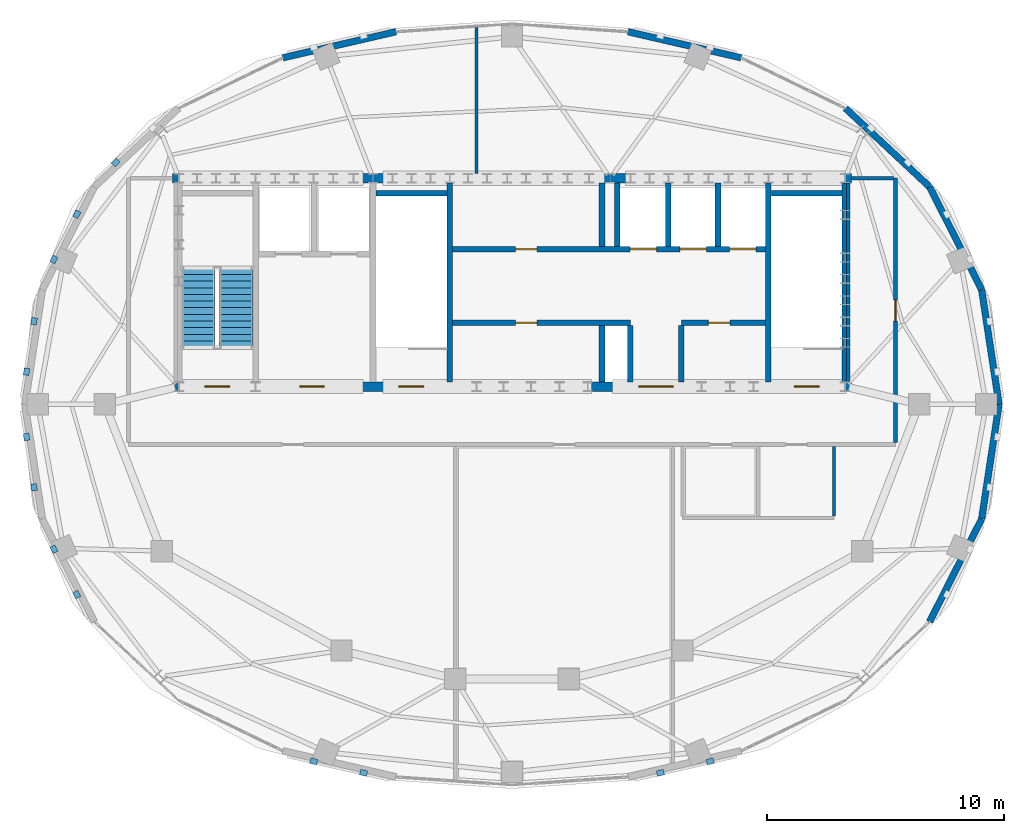
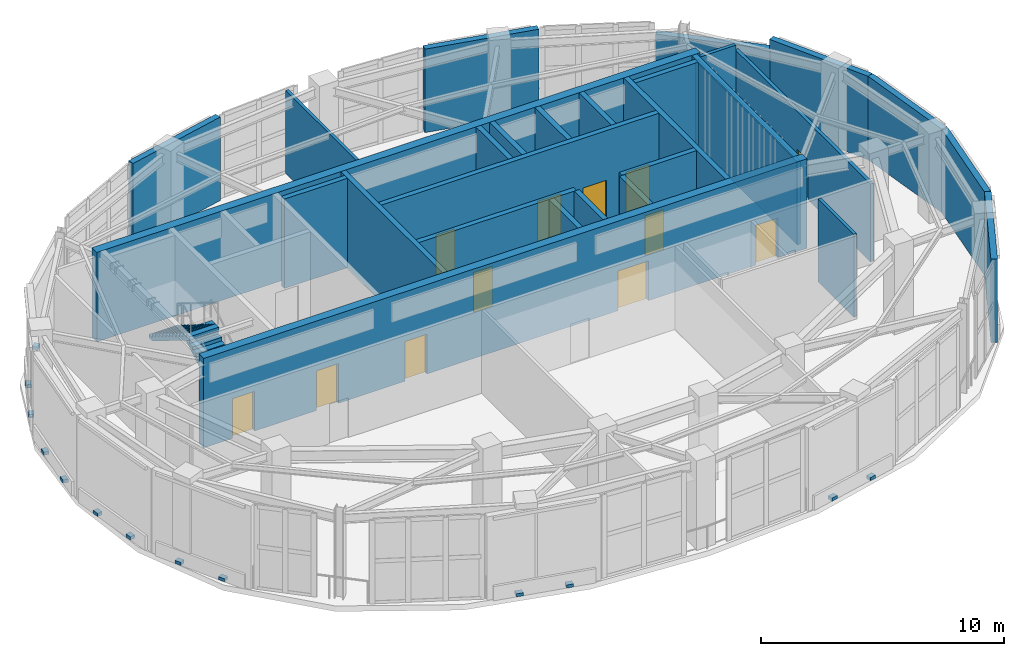
# One storey, part 7 of 10: 29 walls, 13 discrete accessories, 12 doors, 2 stair flights, 12 openings, 1 element without a shape of its own.
"""IFC4 building model written with IfcOpenShell, lengths in metres."""

from ifc_helpers import new_model, si_unit, direction, frame, frame_2d, origin, origin_2d, place, context, subcontext, project, spatial, polyline, rectangle, outline, extrude, material, layer, layer_set, type_object, element, fill, aggregate, save


model = new_model("IFC4")

# Units and contexts
model_context = context("Model", 3, precision=1e-05, world=origin(), true_north=direction((0.0, 1.0)))
body_context = subcontext(model_context, "Body", "Model", "MODEL_VIEW")
ifc_project = project(units=[si_unit("LENGTHUNIT", "METRE"), si_unit("AREAUNIT", "SQUARE_METRE"), si_unit("VOLUMEUNIT", "CUBIC_METRE"), si_unit("PLANEANGLEUNIT", "RADIAN"), si_unit("MASSUNIT", "GRAM", prefix="KILO")], contexts=[model_context])

# Site, building, storey
site_placement = place(None, origin())
site = spatial("IfcSite", under=ifc_project, at=site_placement, CompositionType="ELEMENT")
building_placement = place(site_placement, origin())
building = spatial("IfcBuilding", under=site, at=building_placement, Name="Haldorwick Loom Tower", CompositionType="ELEMENT")
storey_placement = place(building_placement, frame((0.0, 0.0, 296.0)))
storey = spatial("IfcBuildingStorey", under=building, at=storey_placement, Name="L79", CompositionType="ELEMENT", Elevation=296.0)

# Walls
ifc_material_1 = material(Name="Pressed Clay Face Brick and Insulated Masonry Backup Assembly", Category="masonry")
ifc_layer_1 = layer(ifc_material_1, 0.280029296875, Name="Pressed Clay Face Brick and Insulated Masonry Backup Assembly", Category="masonry")
ifc_layer_set_1 = layer_set([ifc_layer_1], Name="Pressed Clay Face Brick and Insulated Masonry Backup Assembly")
wall_type_1 = type_object("IfcWallType", Name="ARC-WL-EXT280", PredefinedType="STANDARD", material=ifc_layer_set_1)
wall_1_placement = place(storey_placement, frame((56.573486328125, 26.0, 0.0), z_axis=(0.0, 0.0, 1.0), x_axis=(-0.149895455746, 0.9887018521, 0.0)))
element("IfcWall", 1, at=wall_1_placement, inside=storey, type_object=wall_type_1, Name="L79 Brick Pier and Spandrel Wall 1", PredefinedType="STANDARD", context=body_context, shape_type="SweptSolid", body=[
    extrude(rectangle(XDim=4.897705078125, YDim=0.280029296875, at=frame_2d((2.44873046875, 0.0))), origin(), (0.0, 0.0, 1.0), 4.199951171875),
])
wall_2_placement = place(storey_placement, frame((55.83935546875, 30.84228515625, 0.0), z_axis=(0.0, 0.0, 1.0), x_axis=(-0.451802465885, 0.892118003305, 0.0)))
element("IfcWall", 2, at=wall_2_placement, inside=storey, type_object=wall_type_1, Name="L79 Brick Pier and Spandrel Wall 2", PredefinedType="STANDARD", context=body_context, shape_type="SweptSolid", body=[
    extrude(rectangle(XDim=4.8671875, YDim=0.280029296875, at=frame_2d((2.43359375, 0.0))), origin(), (0.0, 0.0, 1.0), 4.199951171875),
])
wall_3_placement = place(storey_placement, frame((53.640380859375, 35.184326171875, 0.0), z_axis=(0.0, 0.0, 1.0), x_axis=(-0.730848380054, 0.682539848927, 0.0)))
element("IfcWall", 3, at=wall_3_placement, inside=storey, type_object=wall_type_1, Name="L79 Brick Pier and Spandrel Wall 3", PredefinedType="STANDARD", context=body_context, shape_type="SweptSolid", body=[
    extrude(rectangle(XDim=4.86669921875, YDim=0.280029296875, at=frame_2d((2.433349609375, 0.0))), origin(), (0.0, 0.0, 1.0), 3.708984375),
])
for number, where, z_axis, x_axis, name in (
    (4, (45.6806640625, 40.637939453125, 0.0), (0.0, 0.0, 1.0), (-0.97452518262, 0.224278105128, 0.0), "L79 Brick Pier and Spandrel Wall 5"),
    (5, (31.1015625, 41.738525390625, 0.0), (0.0, 0.0, 1.0), (-0.97452518262, -0.224278105128, 0.0), "L79 Brick Pier and Spandrel Wall 8"),
):
    element("IfcWall", number, at=place(storey_placement, frame(where, z_axis=z_axis, x_axis=x_axis)), inside=storey, type_object=wall_type_1, Name=name, PredefinedType="STANDARD", context=body_context, shape_type="SweptSolid", body=[
        extrude(rectangle(XDim=4.9072265625, YDim=0.280029296875, at=frame_2d((2.45361328125, 0.0))), origin(), (0.0, 0.0, 1.0), 4.199951171875),
    ])
wall_4_placement = place(storey_placement, frame((53.640380859375, 16.815673828125, 0.0), z_axis=(0.0, 0.0, 1.0), x_axis=(0.451802465885, 0.892118003305, 0.0)))
element("IfcWall", 6, at=wall_4_placement, inside=storey, type_object=wall_type_1, Name="L79 Brick Pier and Spandrel Wall 23", PredefinedType="STANDARD", context=body_context, shape_type="SweptSolid", body=[
    extrude(rectangle(XDim=4.8671875, YDim=0.280029296875, at=frame_2d((2.43359375, 0.0))), origin(), (0.0, 0.0, 1.0), 4.199951171875),
])
wall_5_placement = place(storey_placement, frame((55.83935546875, 21.15771484375, 0.0), z_axis=(0.0, 0.0, 1.0), x_axis=(0.149895455746, 0.9887018521, 0.0)))
element("IfcWall", 7, at=wall_5_placement, inside=storey, type_object=wall_type_1, Name="L79 Brick Pier and Spandrel Wall 24", PredefinedType="STANDARD", context=body_context, shape_type="SweptSolid", body=[
    extrude(rectangle(XDim=4.897705078125, YDim=0.280029296875, at=frame_2d((2.44873046875, 0.0))), origin(), (0.0, 0.0, 1.0), 4.199951171875),
])

# Wall, opening, door
ifc_material_2 = material(Name="Fire-Rated Type X Gypsum Stud Assembly EI 60")
ifc_layer_2 = layer(ifc_material_2, 0.159912109375, Name="Fire-Rated Type X Gypsum Stud Assembly EI 60")
ifc_layer_set_2 = layer_set([ifc_layer_2], Name="Fire-Rated Type X Gypsum Stud Assembly EI 60")
wall_type_2 = type_object("IfcWallType", Name="ARC-WL-FIRE160", PredefinedType="PARTITIONING", material=ifc_layer_set_2)
wall_6_placement = place(storey_placement, frame((52.199951171875, 24.383056640625, 0.0), z_axis=(0.0, 0.0, 1.0), x_axis=(0.0, 1.0, 0.0)))
wall_6 = element("IfcWall", 8, at=wall_6_placement, inside=storey, type_object=wall_type_2, Name="L79 Interior Partition L79-CE0", PredefinedType="PARTITIONING", context=body_context, shape_type="SweptSolid", body=[
    extrude(rectangle(XDim=11.1669921875, YDim=0.159912109375, at=frame_2d((5.58349609375, 0.0))), origin(), (0.0, 0.0, 1.0), 3.9169921875),
])
opening_1_placement = place(wall_6_placement, frame((5.133544921875, 0.0, 0.0)))
opening_1 = element("IfcOpeningElement", 9, at=opening_1_placement, cuts=wall_6, Name="Opening D-FD60A", PredefinedType="OPENING", context=body_context, shape_type="SweptSolid", body=[
    extrude(rectangle(XDim=0.89990234375, YDim=2.0, at=frame_2d((0.449951171875, 1.0))), frame((0.0, 0.08984375, 0.0), z_axis=(0.0, -1.0, 0.0), x_axis=(1.0, 0.0, 0.0)), (0.0, 0.0, 1.0), 0.179931640625),
])
ifc_material_3 = material(Name="Hollow Steel Fire Door Assembly", Category="steel")
door_type_1 = type_object("IfcDoorType", Name="ARC-DR-FD60-90", OperationType="NOTDEFINED", PredefinedType="DOOR", material=ifc_material_3)
door_1_placement = place(opening_1_placement, origin())
door_1 = element("IfcDoor", 10, at=door_1_placement, inside=storey, type_object=door_type_1, Name="L79 L79 Central Transfer Corridor to Sky Seminar Room 5 Door", OperationType="SINGLE_SWING_LEFT", OverallHeight=2.0, OverallWidth=0.89990234375, PredefinedType="DOOR", context=body_context, shape_type="SweptSolid", body=[
    extrude(rectangle(XDim=0.89990234375, YDim=2.0, at=frame_2d((0.449951171875, 1.0))), frame((0.0, 0.02490234375, 0.0), z_axis=(0.0, -1.0, 0.0), x_axis=(1.0, 0.0, 0.0)), (0.0, 0.0, 1.0), 0.050048828125),
])
fill(opening_1, door_1)

# Walls
wall_7_placement = place(storey_placement, frame((50.199951171875, 26.952880859375, 0.0), z_axis=(0.0, 0.0, 1.0), x_axis=(0.0, 1.0, 0.0)))
element("IfcWall", 11, at=wall_7_placement, inside=storey, type_object=wall_type_2, Name="L79 Interior Partition L79-CE2", PredefinedType="PARTITIONING", context=body_context, shape_type="SweptSolid", body=[
    extrude(rectangle(XDim=8.39404296875, YDim=0.159912109375, at=frame_2d((4.197021484375, 0.0))), origin(), (0.0, 0.0, 1.0), 4.18505859375),
])
wall_8_placement = place(storey_placement, frame((50.35009765625, 35.550048828125, 0.0), z_axis=(0.0, 0.0, 1.0), x_axis=(1.0, 0.0, 0.0)))
element("IfcWall", 12, at=wall_8_placement, inside=storey, type_object=wall_type_2, Name="L79 Interior Partition L79-CEN", PredefinedType="PARTITIONING", context=body_context, shape_type="SweptSolid", body=[
    extrude(rectangle(XDim=1.766845703125, YDim=0.159912109375, at=frame_2d((0.88330078125, 0.0))), origin(), (0.0, 0.0, 1.0), 4.18505859375),
])
ifc_layer_3 = layer(ifc_material_2, 0.139892578125, Name="Fire-Rated Type X Gypsum Stud Assembly EI 60")
ifc_layer_set_3 = layer_set([ifc_layer_3], Name="Fire-Rated Type X Gypsum Stud Assembly EI 60")
wall_type_3 = type_object("IfcWallType", Name="ARC-WL-PART140", PredefinedType="PARTITIONING", material=ifc_layer_set_3)
wall_9_placement = place(storey_placement, frame((49.60009765625, 21.27294921875, 0.0), z_axis=(0.0, 0.0, 1.0), x_axis=(0.0, 1.0, 0.0)))
element("IfcWall", 13, at=wall_9_placement, inside=storey, type_object=wall_type_3, Name="L79 Interior Partition L79-WC4", PredefinedType="PARTITIONING", context=body_context, shape_type="SweptSolid", body=[
    extrude(rectangle(XDim=2.944091796875, YDim=0.139892578125, at=frame_2d((1.47216796875, 0.0))), origin(), (0.0, 0.0, 1.0), 4.18505859375),
])
wall_10_placement = place(storey_placement, frame((34.5, 35.7529296875, 0.0), z_axis=(0.0, 0.0, 1.0), x_axis=(0.0, 1.0, 0.0)))
element("IfcWall", 14, at=wall_10_placement, inside=storey, type_object=wall_type_3, Name="L79 Interior Partition L79-N-0", PredefinedType="PARTITIONING", context=body_context, shape_type="SweptSolid", body=[
    extrude(rectangle(XDim=6.173828125, YDim=0.139892578125, at=frame_2d((3.0869140625, 0.0))), origin(), (0.0, 0.0, 1.0), 4.18505859375),
])

# Wall, openings, doors
ifc_material_4 = material(Name="Concrete C50 (50 MPa)", Category="concrete")
ifc_layer_4 = layer(ifc_material_4, 0.39990234375, Name="Concrete C50 (50 MPa)", Category="concrete")
ifc_layer_set_4 = layer_set([ifc_layer_4], Name="Concrete C50 (50 MPa)")
wall_type_4 = type_object("IfcWallType", Name="STR-WL-CORE400", PredefinedType="SHEAR", material=ifc_layer_set_4)
wall_11_placement = place(storey_placement, frame((21.64990234375, 26.75, 0.0), z_axis=(0.0, 0.0, 1.0), x_axis=(1.0, 0.0, 0.0)))
wall_11 = element("IfcWall", 15, at=wall_11_placement, inside=storey, type_object=wall_type_4, Name="L79 Core Shear Wall S", PredefinedType="SHEAR", context=body_context, shape_type="SweptSolid", body=[
    extrude(rectangle(XDim=28.7001953125, YDim=0.39990234375, at=frame_2d((14.35009765625, 0.0))), origin(), (0.0, 0.0, 1.0), 4.5),
])
opening_2_placement = place(wall_11_placement, frame((1.375, 0.0, 0.0)))
opening_2 = element("IfcOpeningElement", 16, at=opening_2_placement, cuts=wall_11, Name="Opening D-FD60", PredefinedType="OPENING", context=body_context, shape_type="SweptSolid", body=[
    extrude(rectangle(XDim=1.050048828125, YDim=2.0, at=frame_2d((0.52490234375, 1.0))), frame((0.0, 0.2099609375, 0.0), z_axis=(0.0, -1.0, 0.0), x_axis=(1.0, 0.0, 0.0)), (0.0, 0.0, 1.0), 0.419921875),
])
opening_3_placement = place(wall_11_placement, frame((5.375, 0.0, 0.0)))
opening_3 = element("IfcOpeningElement", 17, at=opening_3_placement, cuts=wall_11, Name="Opening D-FD60", PredefinedType="OPENING", context=body_context, shape_type="SweptSolid", body=[
    extrude(rectangle(XDim=1.050048828125, YDim=2.0, at=frame_2d((0.52490234375, 1.0))), frame((0.0, 0.2099609375, 0.0), z_axis=(0.0, -1.0, 0.0), x_axis=(1.0, 0.0, 0.0)), (0.0, 0.0, 1.0), 0.419921875),
])
opening_4_placement = place(wall_11_placement, frame((9.574951171875, 0.0, 0.0)))
opening_4 = element("IfcOpeningElement", 18, at=opening_4_placement, cuts=wall_11, Name="Opening D-FD60", PredefinedType="OPENING", context=body_context, shape_type="SweptSolid", body=[
    extrude(rectangle(XDim=1.050048828125, YDim=2.0, at=frame_2d((0.52490234375, 1.0))), frame((0.0, 0.2099609375, 0.0), z_axis=(0.0, -1.0, 0.0), x_axis=(1.0, 0.0, 0.0)), (0.0, 0.0, 1.0), 0.419921875),
])
opening_5_placement = place(wall_11_placement, frame((19.705078125, 0.0, 0.0)))
opening_5 = element("IfcOpeningElement", 19, at=opening_5_placement, cuts=wall_11, Name="Opening D-LB15", PredefinedType="OPENING", context=body_context, shape_type="SweptSolid", body=[
    extrude(rectangle(XDim=1.449951171875, YDim=2.0, at=frame_2d((0.72509765625, 1.0))), frame((0.0, 0.2099609375, 0.0), z_axis=(0.0, -1.0, 0.0), x_axis=(1.0, 0.0, 0.0)), (0.0, 0.0, 1.0), 0.419921875),
])
opening_6_placement = place(wall_11_placement, frame((26.27490234375, 0.0, 0.0)))
opening_6 = element("IfcOpeningElement", 20, at=opening_6_placement, cuts=wall_11, Name="Opening D-FD60", PredefinedType="OPENING", context=body_context, shape_type="SweptSolid", body=[
    extrude(rectangle(XDim=1.050048828125, YDim=2.0, at=frame_2d((0.52490234375, 1.0))), frame((0.0, 0.2099609375, 0.0), z_axis=(0.0, -1.0, 0.0), x_axis=(1.0, 0.0, 0.0)), (0.0, 0.0, 1.0), 0.419921875),
])
door_type_2 = type_object("IfcDoorType", Name="ARC-DR-FD60", OperationType="NOTDEFINED", PredefinedType="DOOR", material=ifc_material_3)
door_2_placement = place(opening_2_placement, origin())
door_2 = element("IfcDoor", 21, at=door_2_placement, inside=storey, type_object=door_type_2, Name="L79 Exit Stair ST-01 Fire Door", OperationType="SINGLE_SWING_LEFT", OverallHeight=2.0, OverallWidth=1.050048828125, PredefinedType="DOOR", context=body_context, shape_type="SweptSolid", body=[
    extrude(rectangle(XDim=1.050048828125, YDim=2.0, at=frame_2d((0.52490234375, 1.0))), frame((0.0, 0.02490234375, 0.0), z_axis=(0.0, -1.0, 0.0), x_axis=(1.0, 0.0, 0.0)), (0.0, 0.0, 1.0), 0.050048828125),
])
fill(opening_2, door_2)
door_3_placement = place(opening_3_placement, origin())
door_3 = element("IfcDoor", 22, at=door_3_placement, inside=storey, type_object=door_type_2, Name="L79 Firefighting Lift Lobby Fire Door", OperationType="SINGLE_SWING_RIGHT", OverallHeight=2.0, OverallWidth=1.050048828125, PredefinedType="DOOR", context=body_context, shape_type="SweptSolid", body=[
    extrude(rectangle(XDim=1.050048828125, YDim=2.0, at=frame_2d((0.52490234375, 1.0))), frame((0.0, 0.02490234375, 0.0), z_axis=(0.0, -1.0, 0.0), x_axis=(1.0, 0.0, 0.0)), (0.0, 0.0, 1.0), 0.050048828125),
])
fill(opening_3, door_3)
door_4_placement = place(opening_4_placement, origin())
door_4 = element("IfcDoor", 23, at=door_4_placement, inside=storey, type_object=door_type_2, Name="L79 Exit Stair ST-03 Fire Door", OperationType="SINGLE_SWING_LEFT", OverallHeight=2.0, OverallWidth=1.050048828125, PredefinedType="DOOR", context=body_context, shape_type="SweptSolid", body=[
    extrude(rectangle(XDim=1.050048828125, YDim=2.0, at=frame_2d((0.52490234375, 1.0))), frame((0.0, 0.02490234375, 0.0), z_axis=(0.0, -1.0, 0.0), x_axis=(1.0, 0.0, 0.0)), (0.0, 0.0, 1.0), 0.050048828125),
])
fill(opening_4, door_4)
door_5_placement = place(opening_6_placement, origin())
door_5 = element("IfcDoor", 24, at=door_5_placement, inside=storey, type_object=door_type_2, Name="L79 Exit Stair ST-02 Fire Door", OperationType="SINGLE_SWING_LEFT", OverallHeight=2.0, OverallWidth=1.050048828125, PredefinedType="DOOR", context=body_context, shape_type="SweptSolid", body=[
    extrude(rectangle(XDim=1.050048828125, YDim=2.0, at=frame_2d((0.52490234375, 1.0))), frame((0.0, 0.02490234375, 0.0), z_axis=(0.0, -1.0, 0.0), x_axis=(1.0, 0.0, 0.0)), (0.0, 0.0, 1.0), 0.050048828125),
])
fill(opening_6, door_5)
ifc_material_5 = material(Name="Thermally Broken Anodized Aluminium and Tempered Glass", Category="aluminium")
door_type_3 = type_object("IfcDoorType", Name="ARC-DR-LOB150", OperationType="NOTDEFINED", PredefinedType="DOOR", material=ifc_material_5)
door_6_placement = place(opening_5_placement, frame((1.449951171875, 0.0, 0.0), z_axis=(0.0, 0.0, 1.0), x_axis=(-1.0, 0.0, 0.0)))
door_6 = element("IfcDoor", 25, at=door_6_placement, inside=storey, type_object=door_type_3, Name="L79 Passenger Lift Lobby Fire Door", OperationType="DOUBLE_DOOR_SINGLE_SWING", OverallHeight=2.0, OverallWidth=1.449951171875, PredefinedType="DOOR", context=body_context, shape_type="SweptSolid", body=[
    extrude(rectangle(XDim=1.449951171875, YDim=2.0, at=frame_2d((0.72509765625, 1.0))), frame((0.0, 0.02490234375, 0.0), z_axis=(0.0, -1.0, 0.0), x_axis=(1.0, 0.0, 0.0)), (0.0, 0.0, 1.0), 0.050048828125),
])
fill(opening_5, door_6)

# Walls
wall_12_placement = place(storey_placement, frame((50.35009765625, 35.550048828125, 0.0), z_axis=(0.0, 0.0, 1.0), x_axis=(-1.0, 0.0, 0.0)))
element("IfcWall", 26, at=wall_12_placement, inside=storey, type_object=wall_type_4, Name="L79 Core Shear Wall N", PredefinedType="SHEAR", context=body_context, shape_type="SweptSolid", body=[
    extrude(rectangle(XDim=28.7001953125, YDim=0.39990234375, at=frame_2d((14.35009765625, 0.0))), origin(), (0.0, 0.0, 1.0), 4.5),
])
ifc_layer_5 = layer(ifc_material_4, 0.239990234375, Name="Concrete C50 (50 MPa)", Category="concrete")
ifc_layer_set_5 = layer_set([ifc_layer_5], Name="Concrete C50 (50 MPa)")
wall_type_5 = type_object("IfcWallType", Name="STR-WL-SHAFT240", PredefinedType="SHEAR", material=ifc_layer_set_5)
for number, where, z_axis, x_axis, name in (
    (27, (50.070068359375, 26.952880859375, 0.0), (0.0, 0.0, 1.0), (0.0, 1.0, 0.0), "L79 Core Shear Wall E"),
    (28, (33.3701171875, 26.952880859375, 0.0), (0.0, 0.0, 1.0), (0.0, 1.0, 0.0), "L79 Core Shear Wall 3"),
):
    element("IfcWall", number, at=place(storey_placement, frame(where, z_axis=z_axis, x_axis=x_axis)), inside=storey, type_object=wall_type_5, Name=name, PredefinedType="SHEAR", context=body_context, shape_type="SweptSolid", body=[
        extrude(rectangle(XDim=8.39404296875, YDim=0.239990234375, at=frame_2d((4.197021484375, 0.0))), origin(), (0.0, 0.0, 1.0), 4.5),
    ])
wall_13_placement = place(storey_placement, frame((30.2529296875, 34.919921875, 0.0), z_axis=(0.0, 0.0, 1.0), x_axis=(1.0, 0.0, 0.0)))
element("IfcWall", 29, at=wall_13_placement, inside=storey, type_object=wall_type_5, Name="L79 Core Shear Wall 3N", PredefinedType="SHEAR", context=body_context, shape_type="SweptSolid", body=[
    extrude(rectangle(XDim=2.994140625, YDim=0.239990234375, at=frame_2d((1.4970703125, 0.0))), origin(), (0.0, 0.0, 1.0), 4.5),
])
wall_14_placement = place(storey_placement, frame((46.830078125, 26.952880859375, 0.0), z_axis=(0.0, 0.0, 1.0), x_axis=(0.0, 1.0, 0.0)))
element("IfcWall", 30, at=wall_14_placement, inside=storey, type_object=wall_type_5, Name="L79 Core Shear Wall 4", PredefinedType="SHEAR", context=body_context, shape_type="SweptSolid", body=[
    extrude(rectangle(XDim=8.39404296875, YDim=0.239990234375, at=frame_2d((4.197021484375, 0.0))), origin(), (0.0, 0.0, 1.0), 4.5),
])
wall_15_placement = place(storey_placement, frame((46.952880859375, 34.919921875, 0.0), z_axis=(0.0, 0.0, 1.0), x_axis=(1.0, 0.0, 0.0)))
element("IfcWall", 31, at=wall_15_placement, inside=storey, type_object=wall_type_5, Name="L79 Core Shear Wall 4N", PredefinedType="SHEAR", context=body_context, shape_type="SweptSolid", body=[
    extrude(rectangle(XDim=2.994140625, YDim=0.239990234375, at=frame_2d((1.4970703125, 0.0))), origin(), (0.0, 0.0, 1.0), 4.5),
])

# Wall, openings, doors
wall_16_placement = place(storey_placement, frame((33.492919921875, 32.550048828125, 0.0), z_axis=(0.0, 0.0, 1.0), x_axis=(1.0, 0.0, 0.0)))
wall_16 = element("IfcWall", 32, at=wall_16_placement, inside=storey, type_object=wall_type_5, Name="L79 Core Shear Wall LN", PredefinedType="SHEAR", context=body_context, shape_type="SweptSolid", body=[
    extrude(rectangle(XDim=13.214111328125, YDim=0.239990234375, at=frame_2d((6.60693359375, 0.0))), origin(), (0.0, 0.0, 1.0), 4.5),
])
opening_7_placement = place(wall_16_placement, frame((2.656982421875, 0.0, 0.0)))
opening_7 = element("IfcOpeningElement", 33, at=opening_7_placement, cuts=wall_16, Name="Opening D-FD60A", PredefinedType="OPENING", context=body_context, shape_type="SweptSolid", body=[
    extrude(rectangle(XDim=0.89990234375, YDim=2.0, at=frame_2d((0.449951171875, 1.0))), frame((0.0, 0.1298828125, 0.0), z_axis=(0.0, -1.0, 0.0), x_axis=(1.0, 0.0, 0.0)), (0.0, 0.0, 1.0), 0.260009765625),
])
opening_8_placement = place(wall_16_placement, frame((7.4970703125, 0.0, 0.0)))
opening_8 = element("IfcOpeningElement", 34, at=opening_8_placement, cuts=wall_16, Name="Opening LD-H1", PredefinedType="OPENING", context=body_context, shape_type="SweptSolid", body=[
    extrude(rectangle(XDim=1.1201171875, YDim=2.0, at=frame_2d((0.56005859375, 1.0))), frame((0.0, 0.1298828125, 0.0), z_axis=(0.0, -1.0, 0.0), x_axis=(1.0, 0.0, 0.0)), (0.0, 0.0, 1.0), 0.260009765625),
])
opening_9_placement = place(wall_16_placement, frame((9.596923828125, 0.0, 0.0)))
opening_9 = element("IfcOpeningElement", 35, at=opening_9_placement, cuts=wall_16, Name="Opening LD-H2", PredefinedType="OPENING", context=body_context, shape_type="SweptSolid", body=[
    extrude(rectangle(XDim=1.1201171875, YDim=2.0, at=frame_2d((0.56005859375, 1.0))), frame((0.0, 0.1298828125, 0.0), z_axis=(0.0, -1.0, 0.0), x_axis=(1.0, 0.0, 0.0)), (0.0, 0.0, 1.0), 0.260009765625),
])
opening_10_placement = place(wall_16_placement, frame((11.697021484375, 0.0, 0.0)))
opening_10 = element("IfcOpeningElement", 36, at=opening_10_placement, cuts=wall_16, Name="Opening LD-H3", PredefinedType="OPENING", context=body_context, shape_type="SweptSolid", body=[
    extrude(rectangle(XDim=1.1201171875, YDim=2.0, at=frame_2d((0.56005859375, 1.0))), frame((0.0, 0.1298828125, 0.0), z_axis=(0.0, -1.0, 0.0), x_axis=(1.0, 0.0, 0.0)), (0.0, 0.0, 1.0), 0.260009765625),
])
door_7_placement = place(opening_7_placement, frame((0.89990234375, 0.0, 0.0), z_axis=(0.0, 0.0, 1.0), x_axis=(-1.0, 0.0, 0.0)))
door_7 = element("IfcDoor", 37, at=door_7_placement, inside=storey, type_object=door_type_1, Name="L79 Housekeeping Store Door", OperationType="SINGLE_SWING_LEFT", OverallHeight=2.0, OverallWidth=0.89990234375, PredefinedType="DOOR", context=body_context, shape_type="SweptSolid", body=[
    extrude(rectangle(XDim=0.89990234375, YDim=2.0, at=frame_2d((0.449951171875, 1.0))), frame((0.0, 0.02490234375, 0.0), z_axis=(0.0, -1.0, 0.0), x_axis=(1.0, 0.0, 0.0)), (0.0, 0.0, 1.0), 0.050048828125),
])
fill(opening_7, door_7)
door_type_4 = type_object("IfcDoorType", Name="ARC-DR-LD-PAX", OperationType="NOTDEFINED", PredefinedType="USERDEFINED", material=ifc_material_3)
door_8_placement = place(opening_8_placement, origin())
door_8 = element("IfcDoor", 38, at=door_8_placement, inside=storey, type_object=door_type_4, Name="L79 Lift LF-H1 Sliding Landing Door", ObjectType="LANDING DOOR", OperationType="DOUBLE_DOOR_SLIDING", OverallHeight=2.0, OverallWidth=1.1201171875, PredefinedType="USERDEFINED", context=body_context, shape_type="SweptSolid", body=[
    extrude(rectangle(XDim=1.1201171875, YDim=2.0, at=frame_2d((0.56005859375, 1.0))), frame((0.0, 0.02490234375, 0.0), z_axis=(0.0, -1.0, 0.0), x_axis=(1.0, 0.0, 0.0)), (0.0, 0.0, 1.0), 0.050048828125),
])
fill(opening_8, door_8)
door_9_placement = place(opening_9_placement, origin())
door_9 = element("IfcDoor", 39, at=door_9_placement, inside=storey, type_object=door_type_4, Name="L79 Lift LF-H2 Sliding Landing Door", ObjectType="LANDING DOOR", OperationType="DOUBLE_DOOR_SLIDING", OverallHeight=2.0, OverallWidth=1.1201171875, PredefinedType="USERDEFINED", context=body_context, shape_type="SweptSolid", body=[
    extrude(rectangle(XDim=1.1201171875, YDim=2.0, at=frame_2d((0.56005859375, 1.0))), frame((0.0, 0.02490234375, 0.0), z_axis=(0.0, -1.0, 0.0), x_axis=(1.0, 0.0, 0.0)), (0.0, 0.0, 1.0), 0.050048828125),
])
fill(opening_9, door_9)
door_10_placement = place(opening_10_placement, origin())
door_10 = element("IfcDoor", 40, at=door_10_placement, inside=storey, type_object=door_type_4, Name="L79 Lift LF-H3 Sliding Landing Door", ObjectType="LANDING DOOR", OperationType="DOUBLE_DOOR_SLIDING", OverallHeight=2.0, OverallWidth=1.1201171875, PredefinedType="USERDEFINED", context=body_context, shape_type="SweptSolid", body=[
    extrude(rectangle(XDim=1.1201171875, YDim=2.0, at=frame_2d((0.56005859375, 1.0))), frame((0.0, 0.02490234375, 0.0), z_axis=(0.0, -1.0, 0.0), x_axis=(1.0, 0.0, 0.0)), (0.0, 0.0, 1.0), 0.050048828125),
])
fill(opening_10, door_10)

# Wall, opening, door
wall_17_placement = place(storey_placement, frame((33.492919921875, 29.449951171875, 0.0), z_axis=(0.0, 0.0, 1.0), x_axis=(1.0, 0.0, 0.0)))
wall_17 = element("IfcWall", 41, at=wall_17_placement, inside=storey, type_object=wall_type_5, Name="L79 Core Shear Wall LS1", PredefinedType="SHEAR", context=body_context, shape_type="SweptSolid", body=[
    extrude(rectangle(XDim=7.507080078125, YDim=0.239990234375, at=frame_2d((3.75341796875, 0.0))), origin(), (0.0, 0.0, 1.0), 4.5),
])
opening_11_placement = place(wall_17_placement, frame((2.656982421875, 0.0, 0.0)))
opening_11 = element("IfcOpeningElement", 42, at=opening_11_placement, cuts=wall_17, Name="Opening D-FD60A", PredefinedType="OPENING", context=body_context, shape_type="SweptSolid", body=[
    extrude(rectangle(XDim=0.89990234375, YDim=2.0, at=frame_2d((0.449951171875, 1.0))), frame((0.0, 0.1298828125, 0.0), z_axis=(0.0, -1.0, 0.0), x_axis=(1.0, 0.0, 0.0)), (0.0, 0.0, 1.0), 0.260009765625),
])
door_11_placement = place(opening_11_placement, origin())
door_11 = element("IfcDoor", 43, at=door_11_placement, inside=storey, type_object=door_type_1, Name="L79 Switch Room Door", OperationType="SINGLE_SWING_RIGHT", OverallHeight=2.0, OverallWidth=0.89990234375, PredefinedType="DOOR", context=body_context, shape_type="SweptSolid", body=[
    extrude(rectangle(XDim=0.89990234375, YDim=2.0, at=frame_2d((0.449951171875, 1.0))), frame((0.0, 0.02490234375, 0.0), z_axis=(0.0, -1.0, 0.0), x_axis=(1.0, 0.0, 0.0)), (0.0, 0.0, 1.0), 0.050048828125),
])
fill(opening_11, door_11)

wall_18_placement = place(storey_placement, frame((43.14990234375, 29.449951171875, 0.0), z_axis=(0.0, 0.0, 1.0), x_axis=(1.0, 0.0, 0.0)))
wall_18 = element("IfcWall", 44, at=wall_18_placement, inside=storey, type_object=wall_type_5, Name="L79 Core Shear Wall LS2", PredefinedType="SHEAR", context=body_context, shape_type="SweptSolid", body=[
    extrude(rectangle(XDim=3.55712890625, YDim=0.239990234375, at=frame_2d((1.778564453125, 0.0))), origin(), (0.0, 0.0, 1.0), 4.5),
])
opening_12_placement = place(wall_18_placement, frame((1.14990234375, 0.0, 0.0)))
opening_12 = element("IfcOpeningElement", 45, at=opening_12_placement, cuts=wall_18, Name="Opening D-FD60A", PredefinedType="OPENING", context=body_context, shape_type="SweptSolid", body=[
    extrude(rectangle(XDim=0.89990234375, YDim=2.0, at=frame_2d((0.449951171875, 1.0))), frame((0.0, 0.1298828125, 0.0), z_axis=(0.0, -1.0, 0.0), x_axis=(1.0, 0.0, 0.0)), (0.0, 0.0, 1.0), 0.260009765625),
])
door_12_placement = place(opening_12_placement, origin())
door_12 = element("IfcDoor", 46, at=door_12_placement, inside=storey, type_object=door_type_1, Name="L79 Electrical Metering Door", OperationType="SINGLE_SWING_LEFT", OverallHeight=2.0, OverallWidth=0.89990234375, PredefinedType="DOOR", context=body_context, shape_type="SweptSolid", body=[
    extrude(rectangle(XDim=0.89990234375, YDim=2.0, at=frame_2d((0.449951171875, 1.0))), frame((0.0, 0.02490234375, 0.0), z_axis=(0.0, -1.0, 0.0), x_axis=(1.0, 0.0, 0.0)), (0.0, 0.0, 1.0), 0.050048828125),
])
fill(opening_12, door_12)

# Walls
for number, where, z_axis, x_axis, name in (
    (47, (41.0, 26.952880859375, 0.0), (0.0, 0.0, 1.0), (0.0, 1.0, 0.0), "L79 Core Shear Wall THW"),
    (48, (43.14990234375, 26.952880859375, 0.0), (0.0, 0.0, 1.0), (0.0, 1.0, 0.0), "L79 Core Shear Wall THE"),
):
    element("IfcWall", number, at=place(storey_placement, frame(where, z_axis=z_axis, x_axis=x_axis)), inside=storey, type_object=wall_type_5, Name=name, PredefinedType="SHEAR", context=body_context, shape_type="SweptSolid", body=[
        extrude(rectangle(XDim=2.3740234375, YDim=0.239990234375, at=frame_2d((1.18701171875, 0.0))), origin(), (0.0, 0.0, 1.0), 4.5),
    ])
for number, where, z_axis, x_axis, name in (
    (49, (39.800048828125, 32.673095703125, 0.0), (0.0, 0.0, 1.0), (0.0, 1.0, 0.0), "L79 Core Shear Wall LHW"),
    (50, (40.449951171875, 32.673095703125, 0.0), (0.0, 0.0, 1.0), (0.0, 1.0, 0.0), "L79 Core Shear Wall H0"),
    (51, (42.60009765625, 32.673095703125, 0.0), (0.0, 0.0, 1.0), (0.0, 1.0, 0.0), "L79 Core Shear Wall H1"),
    (52, (44.699951171875, 32.673095703125, 0.0), (0.0, 0.0, 1.0), (0.0, 1.0, 0.0), "L79 Core Shear Wall H2"),
):
    element("IfcWall", number, at=place(storey_placement, frame(where, z_axis=z_axis, x_axis=x_axis)), inside=storey, type_object=wall_type_5, Name=name, PredefinedType="SHEAR", context=body_context, shape_type="SweptSolid", body=[
        extrude(rectangle(XDim=2.673828125, YDim=0.239990234375, at=frame_2d((1.3369140625, 0.0))), origin(), (0.0, 0.0, 1.0), 4.5),
    ])
wall_19_placement = place(storey_placement, frame((39.800048828125, 26.952880859375, 0.0), z_axis=(0.0, 0.0, 1.0), x_axis=(0.0, 1.0, 0.0)))
element("IfcWall", 53, at=wall_19_placement, inside=storey, type_object=wall_type_5, Name="L79 Core Shear Wall MRW", PredefinedType="SHEAR", context=body_context, shape_type="SweptSolid", body=[
    extrude(rectangle(XDim=2.3740234375, YDim=0.239990234375, at=frame_2d((1.18701171875, 0.0))), origin(), (0.0, 0.0, 1.0), 4.5),
])

# Stair, stair flights
ifc_material_6 = material(Name="Concrete C40 (40 MPa)", Category="concrete")
stair_type = type_object("IfcStairType", Name="STR-STR-CORE", PredefinedType="HALF_TURN_STAIR", material=ifc_material_6)
stair_placement = place(storey_placement, origin())
stair = element("IfcStair", 54, at=stair_placement, inside=storey, type_object=stair_type, Name="L79 Exit Stair ST-01", PredefinedType="HALF_TURN_STAIR")
stair_flight_type = type_object("IfcStairFlightType", Name="STR-STF-1250", PredefinedType="STRAIGHT", material=ifc_material_6)
stair_flight_1_placement = place(storey_placement, frame((24.35009765625, 28.39990234375, 0.0), z_axis=(0.0, 0.0, 1.0), x_axis=(0.0, 1.0, 0.0)))
stair_flight_1 = element("IfcStairFlight", 55, at=stair_flight_1_placement, type_object=stair_flight_type, Name="ST-01 flight 1", NumberOfRisers=13, NumberOfTreads=12, PredefinedType="STRAIGHT", RiserHeight=0.173076923, TreadLength=0.28, context=body_context, shape_type="SweptSolid", body=[
    extrude(outline(polyline([(0.0, 0.0), (0.0, 0.173095703125), (0.280029296875, 0.173095703125), (0.280029296875, 0.34619140625), (0.56005859375, 0.34619140625), (0.56005859375, 0.519287109375), (0.840087890625, 0.519287109375), (0.840087890625, 0.6923828125), (1.1201171875, 0.6923828125), (1.1201171875, 0.865478515625), (1.39990234375, 0.865478515625), (1.39990234375, 1.03857421875), (1.679931640625, 1.03857421875), (1.679931640625, 1.21142578125), (1.9599609375, 1.21142578125), (1.9599609375, 1.384521484375), (2.239990234375, 1.384521484375), (2.239990234375, 1.5576171875), (2.52001953125, 1.5576171875), (2.52001953125, 1.730712890625), (2.800048828125, 1.730712890625), (2.800048828125, 1.90380859375), (3.080078125, 1.90380859375), (3.080078125, 2.076904296875), (3.360107421875, 2.076904296875), (3.360107421875, 2.25), (3.360107421875, 1.900634765625), (0.28515625, 0.0), (0.0, 0.0)])), frame((0.0, 0.699951171875, 0.0), z_axis=(0.0, -1.0, 0.0), x_axis=(1.0, 0.0, 0.0)), (0.0, 0.0, 1.0), 1.39990234375),
])
stair_flight_2_placement = place(storey_placement, frame((22.75, 31.760009765625, 2.25), z_axis=(0.0, 0.0, 1.0), x_axis=(0.0, -1.0, 0.0)))
stair_flight_2 = element("IfcStairFlight", 56, at=stair_flight_2_placement, type_object=stair_flight_type, Name="ST-01 flight 2", NumberOfRisers=13, NumberOfTreads=12, PredefinedType="STRAIGHT", RiserHeight=0.173076923, TreadLength=0.28, context=body_context, shape_type="SweptSolid", body=[
    extrude(outline(polyline([(0.0, 0.0), (0.0, 0.173095703125), (0.280029296875, 0.173095703125), (0.280029296875, 0.34619140625), (0.56005859375, 0.34619140625), (0.56005859375, 0.519287109375), (0.840087890625, 0.519287109375), (0.840087890625, 0.6923828125), (1.1201171875, 0.6923828125), (1.1201171875, 0.865478515625), (1.39990234375, 0.865478515625), (1.39990234375, 1.03857421875), (1.679931640625, 1.03857421875), (1.679931640625, 1.21142578125), (1.9599609375, 1.21142578125), (1.9599609375, 1.384521484375), (2.239990234375, 1.384521484375), (2.239990234375, 1.5576171875), (2.52001953125, 1.5576171875), (2.52001953125, 1.730712890625), (2.800048828125, 1.730712890625), (2.800048828125, 1.90380859375), (3.080078125, 1.90380859375), (3.080078125, 2.076904296875), (3.360107421875, 2.076904296875), (3.360107421875, 2.25), (3.360107421875, 1.900634765625), (0.28515625, 0.0), (0.0, 0.0)])), frame((0.0, 0.699951171875, 0.0), z_axis=(0.0, -1.0, 0.0), x_axis=(1.0, 0.0, 0.0)), (0.0, 0.0, 1.0), 1.39990234375),
])
aggregate(stair, [stair_flight_1, stair_flight_2])

# Discrete accessories
ifc_material_7 = material(Name="Galvanized Steel CSA G40.21 350W", Category="steel")
discrete_accessory_type = type_object("IfcDiscreteAccessoryType", Name="ARC-ACC-BRACKET", PredefinedType="BRACKET", material=ifc_material_7)
for number, where, z_axis, x_axis, name in (
    (57, (19.260009765625, 36.216796875, 0.0), (0.0, 0.0, 1.0), (-0.731353701619, -0.681998360062, 0.0), "L79 Stainless Masonry Shelf Angle Bracket 10R"),
    (58, (17.618896484375, 34.03173828125, 0.0), (0.0, 0.0, 1.0), (-0.452434709312, -0.891797529605, 0.0), "L79 Stainless Masonry Shelf Angle Bracket 11L"),
    (59, (16.651611328125, 32.121337890625, 0.0), (0.0, 0.0, 1.0), (-0.452434709312, -0.891797529605, 0.0), "L79 Stainless Masonry Shelf Angle Bracket 11R"),
    (60, (15.816650390625, 29.50732421875, 0.0), (0.0, 0.0, 1.0), (-0.149535343444, -0.988756381047, 0.0), "L79 Stainless Masonry Shelf Angle Bracket 12L"),
    (61, (15.49365234375, 27.376708984375, 0.0), (0.0, 0.0, 1.0), (-0.149535343444, -0.988756381047, 0.0), "L79 Stainless Masonry Shelf Angle Bracket 12R"),
    (62, (15.49365234375, 24.623291015625, 0.0), (0.0, 0.0, 1.0), (0.149535343444, -0.988756381047, 0.0), "L79 Stainless Masonry Shelf Angle Bracket 13L"),
    (63, (15.816650390625, 22.49267578125, 0.0), (0.0, 0.0, 1.0), (0.149535343444, -0.988756381047, 0.0), "L79 Stainless Masonry Shelf Angle Bracket 13R"),
    (64, (16.651611328125, 19.878662109375, 0.0), (0.0, 0.0, 1.0), (0.452434709312, -0.891797529605, 0.0), "L79 Stainless Masonry Shelf Angle Bracket 14L"),
    (65, (17.618896484375, 17.96826171875, 0.0), (0.0, 0.0, 1.0), (0.452434709312, -0.891797529605, 0.0), "L79 Stainless Masonry Shelf Angle Bracket 14R"),
    (66, (27.626953125, 10.91748046875, 0.0), (0.0, 0.0, 1.0), (0.974370064785, -0.224951054344, 0.0), "L79 Stainless Masonry Shelf Angle Bracket 17L"),
    (67, (29.731201171875, 10.43310546875, 0.0), (0.0, 0.0, 1.0), (0.974370064785, -0.224951054344, 0.0), "L79 Stainless Masonry Shelf Angle Bracket 17R"),
    (68, (42.268798828125, 10.43310546875, 0.0), (0.0, 0.0, 1.0), (0.974370064785, 0.224951054344, 0.0), "L79 Stainless Masonry Shelf Angle Bracket 20L"),
    (69, (44.373046875, 10.91748046875, 0.0), (0.0, 0.0, 1.0), (0.974370064785, 0.224951054344, 0.0), "L79 Stainless Masonry Shelf Angle Bracket 20R"),
):
    element("IfcDiscreteAccessory", number, at=place(storey_placement, frame(where, z_axis=z_axis, x_axis=x_axis)), inside=storey, type_object=discrete_accessory_type, Name=name, PredefinedType="BRACKET", context=body_context, shape_type="SweptSolid", body=[
        extrude(rectangle(XDim=0.300048828125, YDim=0.239990234375, at=origin_2d()), origin(), (0.0, 0.0, 1.0), 0.159912109375),
    ])

save(model, "model.ifc")
